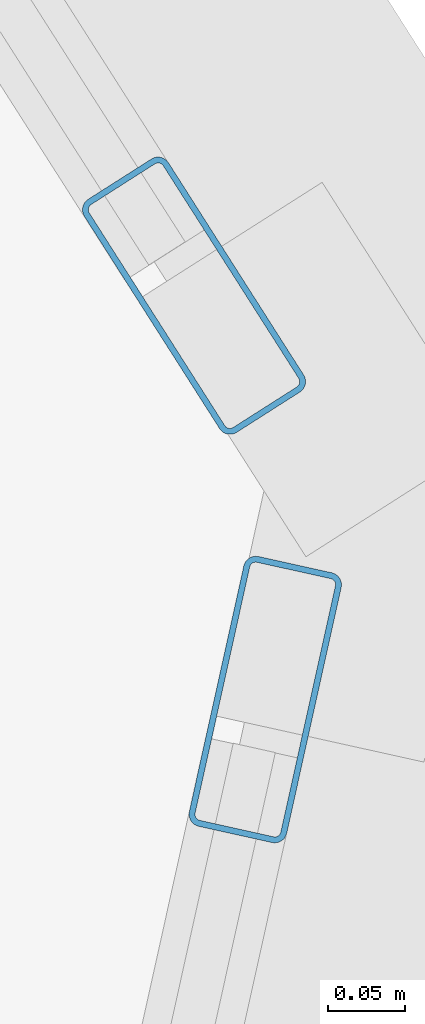
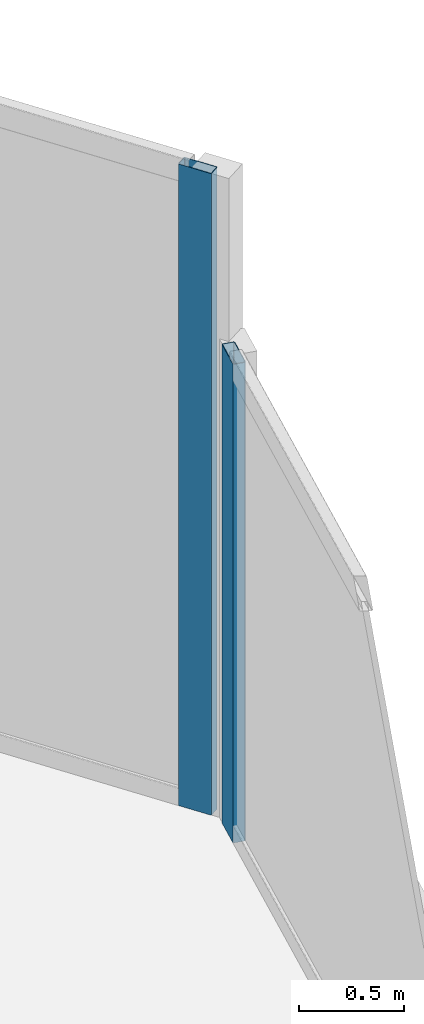
# One storey, part 12 of 25: 2 members, 2 elements without a shape of their own.
"""IFC4 building model written with IfcOpenShell, lengths in metres."""

import ifcopenshell
import ifcopenshell.guid

model = None  # the IFC model being written
_history = None  # IfcOwnerHistory: only IFC2X3 demands one
_inside = {}  # id of a spatial element -> (the spatial element, [elements in it])
_under = {}  # id of a project, library or spatial element -> (it, [spatial elements below it])
_declared = {}  # id of a project -> (the project, [libraries it declares])
_typed = {}  # id of a type object -> (the type object, [elements of that type])
_made_of = {}  # id of a material, layer set ... -> (it, [elements and type objects made of it])


def new_model(schema):
    """Start an empty IFC model of exactly this schema.

    Asked for "IFC4X3", IfcOpenShell would pick the latest addendum, in which some entities
    have other attributes; the version numbers below select the first issue.
    IFC2X3 requires an IfcOwnerHistory on every rooted entity: one is made here for all.
    """
    global model, _history
    if schema == "IFC4X3":
        model = ifcopenshell.file(schema_version=(4, 3, 0, 0))
    else:
        model = ifcopenshell.file(schema=schema)
    _inside.clear()
    _under.clear()
    _declared.clear()
    _typed.clear()
    _made_of.clear()
    _history = None
    if model.schema == "IFC2X3":
        org = make("IfcOrganization", Name="unknown")
        user = make(
            "IfcPersonAndOrganization",
            ThePerson=make("IfcPerson", FamilyName="unknown"),
            TheOrganization=org,
        )
        app = make(
            "IfcApplication",
            ApplicationDeveloper=org,
            Version="unknown",
            ApplicationFullName="unknown",
            ApplicationIdentifier="unknown",
        )
        _history = make(
            "IfcOwnerHistory",
            OwningUser=user,
            OwningApplication=app,
            ChangeAction="ADDED",
            CreationDate=0,
        )
    return model


def make(cls, **values):
    """One entity of the class cls with the attributes given. An attribute that is None is left unset."""
    return model.create_entity(
        cls, **{name: value for name, value in values.items() if value is not None}
    )


def rooted(cls, **values):
    """An entity with a GlobalId (a new one), such as an element, a storey or a relation."""
    return make(cls, GlobalId=ifcopenshell.guid.new(), OwnerHistory=_history, **values)


def si_unit(unit_type, name, prefix=None):
    """IfcSIUnit, for example si_unit("LENGTHUNIT", "METRE", prefix="MILLI")."""
    return make("IfcSIUnit", UnitType=unit_type, Prefix=prefix, Name=name)


def assignment(units):
    """IfcUnitAssignment: the units of a project."""
    return None if units is None else make("IfcUnitAssignment", Units=units)


def point(xyz):
    """IfcCartesianPoint."""
    return None if xyz is None else make("IfcCartesianPoint", Coordinates=xyz)


def direction(xyz):
    """IfcDirection."""
    return None if xyz is None else make("IfcDirection", DirectionRatios=xyz)


def frame(location, z_axis=None, x_axis=None):
    """IfcAxis2Placement3D, a coordinate frame: its origin and axes. An axis left out is left unset."""
    return make(
        "IfcAxis2Placement3D",
        Location=point(location),
        Axis=direction(z_axis),
        RefDirection=direction(x_axis),
    )


def frame_2d(location, x_axis=None):
    """IfcAxis2Placement2D, a coordinate frame in the plane: its origin and x axis."""
    return make(
        "IfcAxis2Placement2D", Location=point(location), RefDirection=direction(x_axis)
    )


def origin():
    """The frame at (0, 0, 0) with its axes left unset."""
    return frame((0.0, 0.0, 0.0))


def origin_2d():
    """The frame at (0, 0) in the plane with its x axis left unset."""
    return frame_2d((0.0, 0.0))


def place(relative_to, where):
    """IfcLocalPlacement: puts the frame where relative to a parent placement (None: the world)."""
    return make(
        "IfcLocalPlacement", PlacementRelTo=relative_to, RelativePlacement=where
    )


def context(
    kind, dimensions, precision=None, world=None, true_north=None, identifier=None
):
    """IfcGeometricRepresentationContext, for example the 3D "Model" context."""
    return make(
        "IfcGeometricRepresentationContext",
        ContextIdentifier=identifier,
        ContextType=kind,
        CoordinateSpaceDimension=dimensions,
        Precision=precision,
        WorldCoordinateSystem=world,
        TrueNorth=true_north,
    )


def subcontext(parent, identifier, kind, view, scale=None):
    """IfcGeometricRepresentationSubContext, for example "Body" below "Model"."""
    return make(
        "IfcGeometricRepresentationSubContext",
        ContextIdentifier=identifier,
        ContextType=kind,
        ParentContext=parent,
        TargetScale=scale,
        TargetView=view,
    )


def project(units=None, contexts=None):
    """IfcProject with its units and contexts."""
    return rooted(
        "IfcProject",
        Name="project",
        RepresentationContexts=contexts,
        UnitsInContext=assignment(units),
    )


def spatial(cls, under=None, at=None, **own):
    """A site, building, storey or space (cls), placed at a placement, below another one or the project."""
    s = rooted(cls, ObjectPlacement=at, **own)
    if under is not None:
        _under.setdefault(under.id(), (under, []))[1].append(s)
    return s


def profile(cls, at=None, kind="AREA", **sizes):
    """A parametric profile (cls). Its sizes go by their IFC names, for example OverallWidth=200.0."""
    return make(cls, ProfileType=kind, Position=at, **sizes)


def hollow_rectangle(**sizes):
    """IfcRectangleHollowProfileDef."""
    return profile("IfcRectangleHollowProfileDef", **sizes)


def extrude(swept, where, along, depth):
    """IfcExtrudedAreaSolid: the profile swept, set in the frame where, extruded along a direction by depth."""
    return make(
        "IfcExtrudedAreaSolid",
        SweptArea=swept,
        Position=where,
        ExtrudedDirection=direction(along),
        Depth=depth,
    )


def shape(context_of_items, identifier, shape_type, items):
    """IfcShapeRepresentation: the items that make up one representation, for example the "Body"."""
    return make(
        "IfcShapeRepresentation",
        ContextOfItems=context_of_items,
        RepresentationIdentifier=identifier,
        RepresentationType=shape_type,
        Items=items,
    )


def source(mapping_origin, context_of_items, identifier, shape_type, items):
    """IfcRepresentationMap: a shape defined once, which mapped items show again and again."""
    return make(
        "IfcRepresentationMap",
        MappingOrigin=mapping_origin,
        MappedRepresentation=shape(context_of_items, identifier, shape_type, items),
    )


def transform(
    local_origin,
    x_axis=None,
    y_axis=None,
    z_axis=None,
    scale=None,
    scale2=None,
    scale3=None,
    uniform=True,
):
    """IfcCartesianTransformationOperator3D, or its non-uniform kind. x_axis, y_axis, z_axis: its Axis1, 2, 3."""
    if uniform:
        return make(
            "IfcCartesianTransformationOperator3D",
            Axis1=direction(x_axis),
            Axis2=direction(y_axis),
            LocalOrigin=point(local_origin),
            Scale=scale,
            Axis3=direction(z_axis),
        )
    return make(
        "IfcCartesianTransformationOperator3DnonUniform",
        Axis1=direction(x_axis),
        Axis2=direction(y_axis),
        LocalOrigin=point(local_origin),
        Scale=scale,
        Axis3=direction(z_axis),
        Scale2=scale2,
        Scale3=scale3,
    )


def mapped(mapping_source, mapping_target):
    """IfcMappedItem: shows the shape of a source again, moved by a transform."""
    return make(
        "IfcMappedItem", MappingSource=mapping_source, MappingTarget=mapping_target
    )


def material(Name=None, Category=None):
    """IfcMaterial."""
    return make("IfcMaterial", Name=Name, Category=Category)


def material_profile(
    of_material, cross_section, Name=None, Category=None, Priority=None
):
    """IfcMaterialProfile: a cross section and its material."""
    return make(
        "IfcMaterialProfile",
        Name=Name,
        Material=of_material,
        Profile=cross_section,
        Priority=Priority,
        Category=Category,
    )


def profile_set(profiles, Name=None, composite=None):
    """IfcMaterialProfileSet."""
    return make(
        "IfcMaterialProfileSet",
        Name=Name,
        MaterialProfiles=profiles,
        CompositeProfile=composite,
    )


def made_of(thing, what):
    """Note that an element or type object is made of a material, layer set ...; save() writes the relation."""
    if what is not None:
        _made_of.setdefault(what.id(), (what, []))[1].append(thing)
    return thing


def type_object(cls, material=None, **own):
    """A type object (cls), such as IfcWallType, which elements share."""
    return made_of(rooted(cls, **own), material)


def element(
    cls,
    number,
    at=None,
    inside=None,
    cuts=None,
    type_object=None,
    material=None,
    context=None,
    identifier="Body",
    shape_type=None,
    held_by="IfcProductDefinitionShape",
    body=None,
    shapes=None,
    **own,
):
    """One element of the class cls, such as IfcWall. Its Tag is "e" and its number.

    at: its placement. inside: the storey or other place that contains it. cuts: it is an
    opening in that element (IfcRelVoidsElement). A single representation is given by context,
    identifier, shape_type and body (its items); several are given by shapes. held_by: the class
    of the entity that holds the representations. save() writes the other relations.
    """
    e = rooted(cls, Tag="e%d" % number, ObjectPlacement=at, **own)
    if body is not None:
        shapes = [shape(context, identifier, shape_type, body)]
    if shapes is not None:
        e.Representation = make(held_by, Representations=shapes)
    if inside is not None:
        _inside.setdefault(inside.id(), (inside, []))[1].append(e)
    if cuts is not None:
        rooted(
            "IfcRelVoidsElement", RelatingBuildingElement=cuts, RelatedOpeningElement=e
        )
    if type_object is not None:
        _typed.setdefault(type_object.id(), (type_object, []))[1].append(e)
    return made_of(e, material)


def aggregate(whole, parts):
    """IfcRelAggregates: a whole, such as a stair, and the parts it consists of."""
    return rooted("IfcRelAggregates", RelatingObject=whole, RelatedObjects=parts)


def save(model, path):
    """Write the relations noted so far, then the file.

    IfcRelAggregates (storeys below a building ...), IfcRelContainedInSpatialStructure (elements
    in a storey), IfcRelDefinesByType, IfcRelAssociatesMaterial and IfcRelDeclares: one each for
    every whole, place, type object, material and project.
    """
    for whole, parts in _under.values():
        aggregate(whole, parts)
    for where, things in _inside.values():
        rooted(
            "IfcRelContainedInSpatialStructure",
            RelatedElements=things,
            RelatingStructure=where,
        )
    for kind, things in _typed.values():
        rooted("IfcRelDefinesByType", RelatedObjects=things, RelatingType=kind)
    for what, things in _made_of.values():
        rooted("IfcRelAssociatesMaterial", RelatedObjects=things, RelatingMaterial=what)
    for by, libraries in _declared.values():
        rooted("IfcRelDeclares", RelatingContext=by, RelatedDefinitions=libraries)
    model.write(path)


model = new_model("IFC4")

# Units and contexts
model_context = context("Model", 3, precision=1e-05, world=origin(), true_north=direction((0.0, 1.0)))
body_context = subcontext(model_context, "Body", "Model", "MODEL_VIEW")
ifc_project = project(units=[si_unit("LENGTHUNIT", "METRE"), si_unit("AREAUNIT", "SQUARE_METRE"), si_unit("VOLUMEUNIT", "CUBIC_METRE"), si_unit("PLANEANGLEUNIT", "RADIAN"), si_unit("MASSUNIT", "GRAM", prefix="KILO")], contexts=[model_context])

# Site, building, storey
site_placement = place(None, origin())
site = spatial("IfcSite", under=ifc_project, at=site_placement, CompositionType="ELEMENT")
building_placement = place(site_placement, origin())
building = spatial("IfcBuilding", under=site, at=building_placement, Name="Torre Montelarca", CompositionType="ELEMENT")
storey_placement = place(building_placement, frame((0.0, 0.0, 91.60009765625)))
storey = spatial("IfcBuildingStorey", under=building, at=storey_placement, Name="L20", CompositionType="ELEMENT", Elevation=91.60009765625)

# Curtain wall, member
ifc_material_1 = material(Name="Insulated low-E laminated glass", Category="glass")
curtain_wall_type = type_object("IfcCurtainWallType", Name="CW-SYS-Z1", PredefinedType="USERDEFINED", material=ifc_material_1)
curtain_wall_1_placement = place(storey_placement, origin())
curtain_wall_1 = element("IfcCurtainWall", 1, at=curtain_wall_1_placement, inside=storey, type_object=curtain_wall_type, Name="L20 Curtain Wall Run CW-T3-L20-E07-B1", ObjectType="UNITISED GLAZING", PredefinedType="USERDEFINED")
ifc_material_2 = material(Name="Anodised aluminium AA 6063-T6", Category="aluminium")
ifc_material_profile = material_profile(ifc_material_2, hollow_rectangle(XDim=0.06494140625, YDim=0.179931640625, WallThickness=0.00390625, InnerFilletRadius=0.00390625, OuterFilletRadius=0.008056640625, at=origin_2d()), Name="ALU65X180X4", Category="aluminium")
ifc_profile_set = profile_set([ifc_material_profile], Name="Anodised aluminium AA 6063-T6")
member_type = type_object("IfcMemberType", Name="CWM-ALU180", PredefinedType="MULLION", material=ifc_profile_set)
shared_shape_1 = source(origin(), body_context, "Body", "SweptSolid", [
    extrude(hollow_rectangle(XDim=0.06494140625, YDim=0.179931640625, WallThickness=0.00390625, InnerFilletRadius=0.00390625, OuterFilletRadius=0.008056640625, at=origin_2d()), origin(), (0.0, 0.0, 1.0), 3.719970703125),
])
member_1_placement = place(storey_placement, frame((65.211181640625, 34.343017578125, 0.0), z_axis=(0.0, 0.0, 1.0), x_axis=(-0.843380828079, -0.537316274487, 0.0)))
member_1 = element("IfcMember", 2, at=member_1_placement, type_object=member_type, Name="CW mullion 1", PredefinedType="MULLION", context=body_context, shape_type="MappedRepresentation", body=[
    mapped(shared_shape_1, transform((0.0, 0.0, 0.0), scale=1.0)),
])
aggregate(curtain_wall_1, [member_1])

curtain_wall_2_placement = place(storey_placement, origin())
curtain_wall_2 = element("IfcCurtainWall", 3, at=curtain_wall_2_placement, inside=storey, type_object=curtain_wall_type, Name="L20 Curtain Wall Run CW-T3-L20-E06-B1", ObjectType="UNITISED GLAZING", PredefinedType="USERDEFINED")
shared_shape_2 = source(origin(), body_context, "Body", "SweptSolid", [
    extrude(hollow_rectangle(XDim=0.06494140625, YDim=0.179931640625, WallThickness=0.00390625, InnerFilletRadius=0.00390625, OuterFilletRadius=0.008056640625, at=origin_2d()), origin(), (0.0, 0.0, 1.0), 2.77490234375),
])
member_2_placement = place(storey_placement, frame((65.257568359375, 34.080078125, 0.0), z_axis=(0.0, 0.0, 1.0), x_axis=(-0.976295656956, 0.216441193422, 0.0)))
member_2 = element("IfcMember", 4, at=member_2_placement, type_object=member_type, Name="CW mullion 3", PredefinedType="MULLION", context=body_context, shape_type="MappedRepresentation", body=[
    mapped(shared_shape_2, transform((0.0, 0.0, 0.0), scale=1.0)),
])
aggregate(curtain_wall_2, [member_2])

save(model, "model.ifc")
